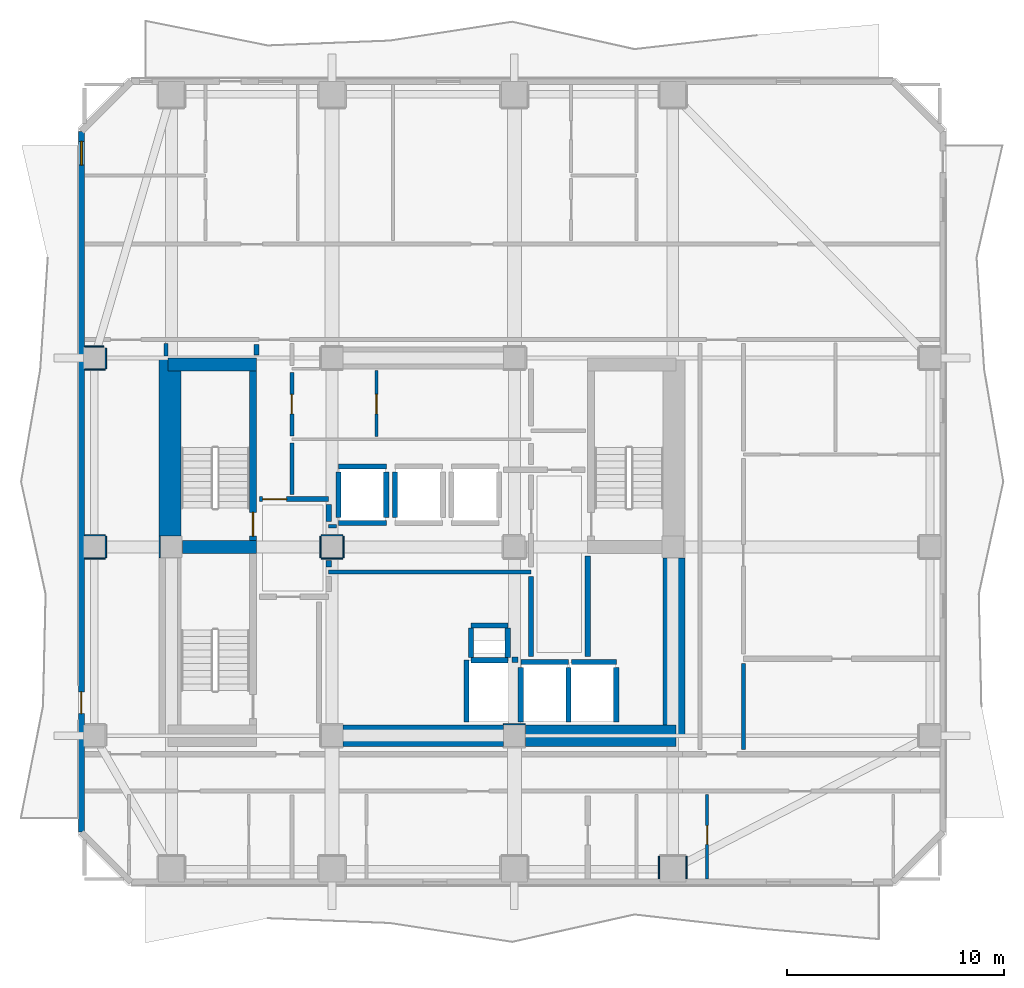
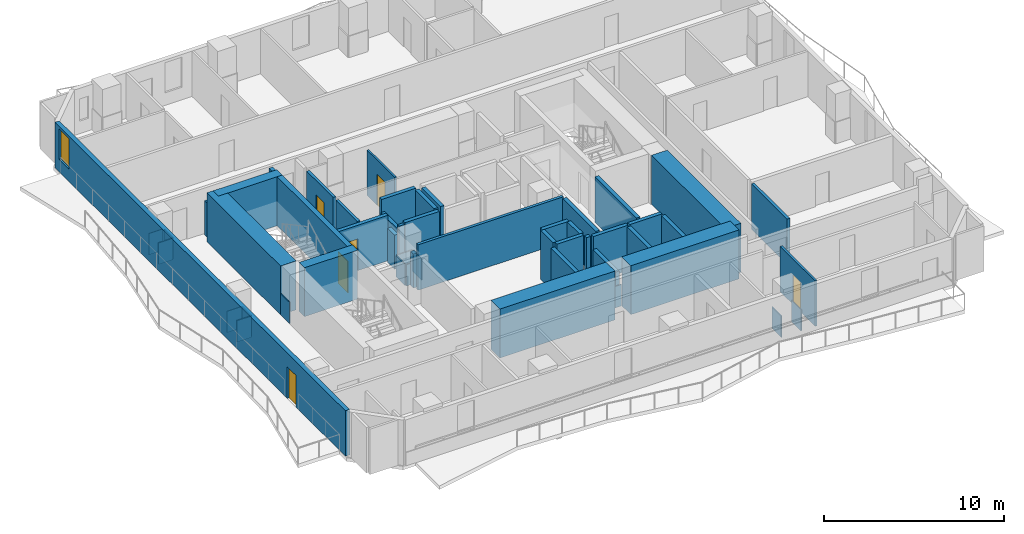
# One storey, part 3 of 9: 52 walls, 6 doors, 1 window, 7 openings.
"""IFC4 building model written with IfcOpenShell, lengths in metres."""

from ifc_helpers import new_model, si_unit, direction, frame, frame_2d, origin, place, context, subcontext, project, spatial, rectangle, extrude, material, layer, layer_set, type_object, element, fill, save


model = new_model("IFC4")

# Units and contexts
model_context = context("Model", 3, precision=1e-05, world=origin(), true_north=direction((0.0, 1.0)))
body_context = subcontext(model_context, "Body", "Model", "MODEL_VIEW")
ifc_project = project(units=[si_unit("LENGTHUNIT", "METRE"), si_unit("AREAUNIT", "SQUARE_METRE"), si_unit("VOLUMEUNIT", "CUBIC_METRE"), si_unit("PLANEANGLEUNIT", "RADIAN"), si_unit("MASSUNIT", "GRAM", prefix="KILO")], contexts=[model_context])

# Site, building, storey
site_placement = place(None, origin())
site = spatial("IfcSite", under=ifc_project, at=site_placement, CompositionType="ELEMENT")
building_placement = place(site_placement, origin())
building = spatial("IfcBuilding", under=site, at=building_placement, Name="Solanera Arch Residences", CompositionType="ELEMENT")
storey_placement = place(building_placement, frame((0.0, 0.0, 155.8798828125)))
storey = spatial("IfcBuildingStorey", under=building, at=storey_placement, Name="L45", CompositionType="ELEMENT", Elevation=155.8798828125)

# Walls
ifc_material_1 = material(Name="Fire-Rated Gypsum Stud Partition", Category="gypsum")
ifc_layer_1 = layer(ifc_material_1, 0.06005859375)
ifc_layer_set_1 = layer_set([ifc_layer_1], Name="Fire-Rated Gypsum Stud Partition")
wall_type_1 = type_object("IfcWallType", Name="Column Acoustic Furring Wall 60", PredefinedType="PARTITIONING", material=ifc_layer_set_1)
wall_1_placement = place(storey_placement, frame((28.699951171875, 22.531982421875, 0.0), z_axis=(0.0, 0.0, 1.0), x_axis=(1.0, 0.0, 0.0)))
element("IfcWall", 1, at=wall_1_placement, inside=storey, type_object=wall_type_1, Name="L45 Column Furring 2N", PredefinedType="PARTITIONING", context=body_context, shape_type="SweptSolid", body=[
    extrude(rectangle(XDim=1.0, YDim=0.06005859375, at=frame_2d((0.5, 0.0))), origin(), (0.0, 0.0, 1.0), 1.4501953125),
])
wall_2_placement = place(storey_placement, frame((12.867919921875, 30.2099609375, 0.0), z_axis=(0.0, 0.0, 1.0), x_axis=(0.0, 1.0, 0.0)))
element("IfcWall", 2, at=wall_2_placement, inside=storey, type_object=wall_type_1, Name="L45 Column Furring 5W", PredefinedType="PARTITIONING", context=body_context, shape_type="SweptSolid", body=[
    extrude(rectangle(XDim=0.97998046875, YDim=0.06005859375, at=frame_2d((0.489990234375, 0.0))), origin(), (0.0, 0.0, 1.0), 1.4501953125),
])
for number, where, z_axis, x_axis, name in (
    (3, (20.300048828125, 30.16796875, 0.0), (0.0, 0.0, 1.0), (1.0, 0.0, 0.0), "L45 Column Furring 7S"),
    (4, (20.300048828125, 31.23193359375, 0.0), (0.0, 0.0, 1.0), (1.0, 0.0, 0.0), "L45 Column Furring 7N"),
    (5, (20.26806640625, 30.199951171875, 0.0), (0.0, 0.0, 1.0), (0.0, 1.0, 0.0), "L45 Column Furring 7W"),
    (6, (21.33203125, 30.199951171875, 0.0), (0.0, 0.0, 1.0), (0.0, 1.0, 0.0), "L45 Column Furring 7E"),
):
    element("IfcWall", number, at=place(storey_placement, frame(where, z_axis=z_axis, x_axis=x_axis)), inside=storey, type_object=wall_type_1, Name=name, PredefinedType="PARTITIONING", context=body_context, shape_type="SweptSolid", body=[
        extrude(rectangle(XDim=1.0, YDim=0.06005859375, at=frame_2d((0.5, 0.0))), origin(), (0.0, 0.0, 1.0), 1.4501953125),
    ])
for number, where, z_axis, x_axis, name in (
    (7, (35.867919921875, 15.409912109375, 0.0), (0.0, 0.0, 1.0), (0.0, 1.0, 0.0), "L45 Column Furring 15W"),
    (8, (37.132080078125, 15.409912109375, 0.0), (0.0, 0.0, 1.0), (0.0, 1.0, 0.0), "L45 Column Furring 15E"),
):
    element("IfcWall", number, at=place(storey_placement, frame(where, z_axis=z_axis, x_axis=x_axis)), inside=storey, type_object=wall_type_1, Name=name, PredefinedType="PARTITIONING", context=body_context, shape_type="SweptSolid", body=[
        extrude(rectangle(XDim=1.0400390625, YDim=0.06005859375, at=frame_2d((0.52001953125, 0.0))), origin(), (0.0, 0.0, 1.0), 1.4501953125),
    ])
for number, where, z_axis, x_axis, name in (
    (9, (9.409912109375, 30.16796875, 0.0), (0.0, 0.0, 1.0), (1.0, 0.0, 0.0), "L45 Column Furring 19S"),
    (10, (9.409912109375, 31.23193359375, 0.0), (0.0, 0.0, 1.0), (1.0, 0.0, 0.0), "L45 Column Furring 19N"),
):
    element("IfcWall", number, at=place(storey_placement, frame(where, z_axis=z_axis, x_axis=x_axis)), inside=storey, type_object=wall_type_1, Name=name, PredefinedType="PARTITIONING", context=body_context, shape_type="SweptSolid", body=[
        extrude(rectangle(XDim=0.940185546875, YDim=0.06005859375, at=frame_2d((0.47021484375, 0.0))), origin(), (0.0, 0.0, 1.0), 1.4501953125),
    ])
wall_3_placement = place(storey_placement, frame((10.382080078125, 30.199951171875, 0.0), z_axis=(0.0, 0.0, 1.0), x_axis=(0.0, 1.0, 0.0)))
element("IfcWall", 11, at=wall_3_placement, inside=storey, type_object=wall_type_1, Name="L45 Column Furring 19E", PredefinedType="PARTITIONING", context=body_context, shape_type="SweptSolid", body=[
    extrude(rectangle(XDim=1.0, YDim=0.06005859375, at=frame_2d((0.5, 0.0))), origin(), (0.0, 0.0, 1.0), 1.4501953125),
])
wall_4_placement = place(storey_placement, frame((9.409912109375, 38.867919921875, 0.0), z_axis=(0.0, 0.0, 1.0), x_axis=(1.0, 0.0, 0.0)))
element("IfcWall", 12, at=wall_4_placement, inside=storey, type_object=wall_type_1, Name="L45 Column Furring 21S", PredefinedType="PARTITIONING", context=body_context, shape_type="SweptSolid", body=[
    extrude(rectangle(XDim=0.940185546875, YDim=0.06005859375, at=frame_2d((0.47021484375, 0.0))), origin(), (0.0, 0.0, 1.0), 1.4501953125),
])
wall_5_placement = place(storey_placement, frame((9.409912109375, 39.931884765625, 0.0), z_axis=(0.0, 0.0, 1.0), x_axis=(1.0, 0.0, 0.0)))
element("IfcWall", 13, at=wall_5_placement, inside=storey, type_object=wall_type_1, Name="L45 Column Furring 21N", PredefinedType="PARTITIONING", context=body_context, shape_type="SweptSolid", body=[
    extrude(rectangle(XDim=0.87109375, YDim=0.06005859375, at=frame_2d((0.435546875, 0.0))), origin(), (0.0, 0.0, 1.0), 1.4501953125),
])
wall_6_placement = place(storey_placement, frame((10.382080078125, 38.89990234375, 0.0), z_axis=(0.0, 0.0, 1.0), x_axis=(0.0, 1.0, 0.0)))
element("IfcWall", 14, at=wall_6_placement, inside=storey, type_object=wall_type_1, Name="L45 Column Furring 21E", PredefinedType="PARTITIONING", context=body_context, shape_type="SweptSolid", body=[
    extrude(rectangle(XDim=0.9560546875, YDim=0.06005859375, at=frame_2d((0.47802734375, 0.0))), origin(), (0.0, 0.0, 1.0), 1.4501953125),
])
ifc_material_2 = material(Name="Concrete C55/67 (f'c = 60 MPa)", Category="concrete")
ifc_layer_2 = layer(ifc_material_2, 1.0)
ifc_layer_set_2 = layer_set([ifc_layer_2], Name="Concrete C55/67 (f'c = 60 MPa)")
wall_type_2 = type_object("IfcWallType", Name="Core Shear Wall CW-1000", PredefinedType="SHEAR", material=ifc_layer_set_2)
wall_7_placement = place(storey_placement, frame((13.340087890625, 31.205078125, 0.0), z_axis=(0.0, 0.0, 1.0), x_axis=(0.0, 1.0, 0.0)))
element("IfcWall", 15, at=wall_7_placement, inside=storey, type_object=wall_type_2, Name="L45 West Core North Shear Wall", PredefinedType="SHEAR", context=body_context, shape_type="SweptSolid", body=[
    extrude(rectangle(XDim=8.19482421875, YDim=1.0, at=frame_2d((4.097412109375, 0.0))), origin(), (0.0, 0.0, 1.0), 3.320068359375),
])
wall_8_placement = place(storey_placement, frame((36.56005859375, 22.0, 0.0), z_axis=(0.0, 0.0, 1.0), x_axis=(0.0, 1.0, 0.0)))
element("IfcWall", 16, at=wall_8_placement, inside=storey, type_object=wall_type_2, Name="L45 East Core South Shear Wall", PredefinedType="SHEAR", context=body_context, shape_type="SweptSolid", body=[
    extrude(rectangle(XDim=8.195068359375, YDim=1.0, at=frame_2d((4.09765625, 0.0))), origin(), (0.0, 0.0, 1.0), 3.320068359375),
])
wall_9_placement = place(storey_placement, frame((29.705078125, 22.0, 0.0), z_axis=(0.0, 0.0, 1.0), x_axis=(1.0, 0.0, 0.0)))
element("IfcWall", 17, at=wall_9_placement, inside=storey, type_object=wall_type_2, Name="L45 South-East Core Shear Wall", PredefinedType="SHEAR", context=body_context, shape_type="SweptSolid", body=[
    extrude(rectangle(XDim=6.954833984375, YDim=1.0, at=frame_2d((3.4775390625, 0.0))), origin(), (0.0, 0.0, 1.0), 3.320068359375),
])
wall_10_placement = place(storey_placement, frame((21.304931640625, 22.0, 0.0), z_axis=(0.0, 0.0, 1.0), x_axis=(1.0, 0.0, 0.0)))
element("IfcWall", 18, at=wall_10_placement, inside=storey, type_object=wall_type_2, Name="L45 Central South Core Shear Wall", PredefinedType="SHEAR", context=body_context, shape_type="SweptSolid", body=[
    extrude(rectangle(XDim=7.39013671875, YDim=1.0, at=frame_2d((3.695068359375, 0.0))), origin(), (0.0, 0.0, 1.0), 3.320068359375),
])

# Wall, opening, door
ifc_material_3 = material(Name="Concrete C40/50 (f'c = 45 MPa)", Category="concrete")
ifc_layer_3 = layer(ifc_material_3, 0.320068359375)
ifc_layer_set_3 = layer_set([ifc_layer_3], Name="Concrete C40/50 (f'c = 45 MPa)")
wall_type_3 = type_object("IfcWallType", Name="Core Shear Wall CW-320", PredefinedType="SHEAR", material=ifc_layer_set_3)
wall_11_placement = place(storey_placement, frame((17.159912109375, 31.0, 0.0), z_axis=(0.0, 0.0, 1.0), x_axis=(0.0, 1.0, 0.0)))
wall_11 = element("IfcWall", 19, at=wall_11_placement, inside=storey, type_object=wall_type_3, Name="L45 Stair ST-T1 East Shear Wall", PredefinedType="SHEAR", context=body_context, shape_type="SweptSolid", body=[
    extrude(rectangle(XDim=7.800048828125, YDim=0.320068359375, at=frame_2d((3.89990234375, 0.0))), origin(), (0.0, 0.0, 1.0), 3.320068359375),
])
opening_1_placement = place(wall_11_placement, frame((0.18994140625, 0.0, 0.0)))
opening_1 = element("IfcOpeningElement", 20, at=opening_1_placement, cuts=wall_11, Name="Opening DF-01", PredefinedType="OPENING", context=body_context, shape_type="SweptSolid", body=[
    extrude(rectangle(XDim=1.10009765625, YDim=2.14990234375, at=frame_2d((0.550048828125, 1.074951171875))), frame((0.0, 0.169921875, 0.0), z_axis=(0.0, -1.0, 0.0), x_axis=(1.0, 0.0, 0.0)), (0.0, 0.0, 1.0), 0.3401),
])
ifc_material_4 = material(Name="Fire-Rated Architectural Hardwood", Category="wood")
door_type_1 = type_object("IfcDoorType", Name="Stair Exit Fire Door DF-01", OperationType="NOTDEFINED", PredefinedType="DOOR", material=ifc_material_4)
door_1_placement = place(opening_1_placement, origin())
door_1 = element("IfcDoor", 21, at=door_1_placement, inside=storey, type_object=door_type_1, Name="DR-L45-STAIR-ST-T1", OperationType="SINGLE_SWING_RIGHT", OverallHeight=2.14990234375, OverallWidth=1.10009765625, PredefinedType="DOOR", context=body_context, shape_type="SweptSolid", body=[
    extrude(rectangle(XDim=1.10009765625, YDim=2.14990234375, at=frame_2d((0.550048828125, 1.074951171875))), frame((0.0, 0.02490234375, 0.0), z_axis=(0.0, -1.0, 0.0), x_axis=(1.0, 0.0, 0.0)), (0.0, 0.0, 1.0), 0.050048828125),
])
fill(opening_1, door_1)

# Walls
ifc_material_5 = material(Name="Concrete C40/50 (f'c = 45 MPa)", Category="concrete")
ifc_layer_4 = layer(ifc_material_5, 0.60009765625)
ifc_layer_set_4 = layer_set([ifc_layer_4], Name="Concrete C40/50 (f'c = 45 MPa)")
wall_type_4 = type_object("IfcWallType", Name="Core Shear Wall CW-600", PredefinedType="SHEAR", material=ifc_layer_set_4)
wall_12_placement = place(storey_placement, frame((13.239990234375, 39.10009765625, 0.0), z_axis=(0.0, 0.0, 1.0), x_axis=(1.0, 0.0, 0.0)))
element("IfcWall", 22, at=wall_12_placement, inside=storey, type_object=wall_type_4, Name="L45 North-West Core Shear Wall", PredefinedType="SHEAR", context=body_context, shape_type="SweptSolid", body=[
    extrude(rectangle(XDim=4.080078125, YDim=0.60009765625, at=frame_2d((2.0400390625, 0.0))), origin(), (0.0, 0.0, 1.0), 3.320068359375),
])
wall_13_placement = place(storey_placement, frame((13.905029296875, 30.699951171875, 0.0), z_axis=(0.0, 0.0, 1.0), x_axis=(1.0, 0.0, 0.0)))
element("IfcWall", 23, at=wall_13_placement, inside=storey, type_object=wall_type_4, Name="L45 West Stair Divider Shear Wall", PredefinedType="SHEAR", context=body_context, shape_type="SweptSolid", body=[
    extrude(rectangle(XDim=3.4150390625, YDim=0.60009765625, at=frame_2d((1.70751953125, 0.0))), origin(), (0.0, 0.0, 1.0), 3.320068359375),
])
ifc_material_6 = material(Name="Autoclaved Aerated Concrete Blockwork", Category="masonry")
ifc_layer_5 = layer(ifc_material_6, 0.179931640625)
ifc_layer_set_5 = layer_set([ifc_layer_5], Name="Autoclaved Aerated Concrete Blockwork")
wall_type_5 = type_object("IfcWallType", Name="Corridor Fire Partition 180", PredefinedType="PARTITIONING", material=ifc_layer_set_5)
wall_14_placement = place(storey_placement, frame((20.64990234375, 29.550048828125, 0.0), z_axis=(0.0, 0.0, 1.0), x_axis=(1.0, 0.0, 0.0)))
element("IfcWall", 24, at=wall_14_placement, inside=storey, type_object=wall_type_5, Name="L45 Interior Partition H8", PredefinedType="PARTITIONING", context=body_context, shape_type="SweptSolid", body=[
    extrude(rectangle(XDim=9.3251953125, YDim=0.179931640625, at=frame_2d((4.66259765625, 0.0))), origin(), (0.0, 0.0, 1.0), 3.080078125),
])
wall_15_placement = place(storey_placement, frame((20.64990234375, 31.64990234375, 0.0), z_axis=(0.0, 0.0, 1.0), x_axis=(1.0, 0.0, 0.0)))
element("IfcWall", 25, at=wall_15_placement, inside=storey, type_object=wall_type_5, Name="L45 Interior Partition H9", PredefinedType="PARTITIONING", context=body_context, shape_type="SweptSolid", body=[
    extrude(rectangle(XDim=0.357177734375, YDim=0.179931640625, at=frame_2d((0.1787109375, 0.0))), origin(), (0.0, 0.0, 1.0), 3.080078125),
])
wall_16_placement = place(storey_placement, frame((13.14990234375, 39.5, 0.0), z_axis=(0.0, 0.0, 1.0), x_axis=(0.0, 1.0, 0.0)))
element("IfcWall", 26, at=wall_16_placement, inside=storey, type_object=wall_type_5, Name="L45 Interior Partition V8", PredefinedType="PARTITIONING", context=body_context, shape_type="SweptSolid", body=[
    extrude(rectangle(XDim=0.56201171875, YDim=0.179931640625, at=frame_2d((0.281005859375, 0.0))), origin(), (0.0, 0.0, 1.0), 2.315185546875),
])
wall_17_placement = place(storey_placement, frame((18.949951171875, 33.117919921875, 0.0), z_axis=(0.0, 0.0, 1.0), x_axis=(0.0, 1.0, 0.0)))
element("IfcWall", 27, at=wall_17_placement, inside=storey, type_object=wall_type_5, Name="L45 Interior Partition V10 1", PredefinedType="PARTITIONING", context=body_context, shape_type="SweptSolid", body=[
    extrude(rectangle(XDim=2.3740234375, YDim=0.179931640625, at=frame_2d((1.18701171875, 0.0))), origin(), (0.0, 0.0, 1.0), 3.080078125),
])

# Wall, opening, door
wall_18_placement = place(storey_placement, frame((18.949951171875, 35.80810546875, 0.0), z_axis=(0.0, 0.0, 1.0), x_axis=(0.0, 1.0, 0.0)))
wall_18 = element("IfcWall", 28, at=wall_18_placement, inside=storey, type_object=wall_type_5, Name="L45 Interior Partition V10 2", PredefinedType="PARTITIONING", context=body_context, shape_type="SweptSolid", body=[
    extrude(rectangle(XDim=2.933837890625, YDim=0.179931640625, at=frame_2d((1.466796875, 0.0))), origin(), (0.0, 0.0, 1.0), 3.080078125),
])
opening_2_placement = place(wall_18_placement, frame((1.01708984375, 0.0, 0.0)))
opening_2 = element("IfcOpeningElement", 29, at=opening_2_placement, cuts=wall_18, Name="Opening DI-02", PredefinedType="OPENING", context=body_context, shape_type="SweptSolid", body=[
    extrude(rectangle(XDim=0.89990234375, YDim=2.10009765625, at=frame_2d((0.449951171875, 1.050048828125))), frame((0.0, 0.10009765625, 0.0), z_axis=(0.0, -1.0, 0.0), x_axis=(1.0, 0.0, 0.0)), (0.0, 0.0, 1.0), 0.1999),
])
ifc_material_7 = material(Name="Fire-Rated Architectural Hardwood", Category="wood")
door_type_2 = type_object("IfcDoorType", Name="Suite Room Swing Door DI-02", OperationType="NOTDEFINED", PredefinedType="DOOR", material=ifc_material_7)
door_2_placement = place(opening_2_placement, origin())
door_2 = element("IfcDoor", 30, at=door_2_placement, inside=storey, type_object=door_type_2, Name="DR-L45-IN-014", OperationType="SINGLE_SWING_LEFT", OverallHeight=2.10009765625, OverallWidth=0.89990234375, PredefinedType="DOOR", context=body_context, shape_type="SweptSolid", body=[
    extrude(rectangle(XDim=0.89990234375, YDim=2.10009765625, at=frame_2d((0.449951171875, 1.050048828125))), frame((0.0, 0.02490234375, 0.0), z_axis=(0.0, -1.0, 0.0), x_axis=(1.0, 0.0, 0.0)), (0.0, 0.0, 1.0), 0.050048828125),
])
fill(opening_2, door_2)

# Wall
wall_19_placement = place(storey_placement, frame((39.75, 21.367919921875, 0.0), z_axis=(0.0, 0.0, 1.0), x_axis=(0.0, 1.0, 0.0)))
element("IfcWall", 31, at=wall_19_placement, inside=storey, type_object=wall_type_5, Name="L45 Interior Partition V13 1", PredefinedType="PARTITIONING", context=body_context, shape_type="SweptSolid", body=[
    extrude(rectangle(XDim=3.964111328125, YDim=0.179931640625, at=frame_2d((1.98193359375, 0.0))), origin(), (0.0, 0.0, 1.0), 3.080078125),
])

# Wall, openings, door, window
ifc_material_8 = material(Name="Precast Concrete C35/45", Category="concrete")
ifc_layer_6 = layer(ifc_material_8, 0.280029296875)
ifc_layer_set_6 = layer_set([ifc_layer_6], Name="Precast Concrete C35/45")
wall_type_6 = type_object("IfcWallType", Name="Exterior Wall Precast Masonry-Frame 280", PredefinedType="STANDARD", material=ifc_layer_set_6)
wall_20_placement = place(storey_placement, frame((9.2548828125, 17.554931640625, 0.0), z_axis=(0.0, 0.0, 1.0), x_axis=(0.0, 1.0, 0.0)))
wall_20 = element("IfcWall", 32, at=wall_20_placement, inside=storey, type_object=wall_type_6, Name="L45 Tower Exterior Precast Masonry-Frame Wall W", PredefinedType="STANDARD", context=body_context, shape_type="SweptSolid", body=[
    extrude(rectangle(XDim=32.2900390625, YDim=0.280029296875, at=frame_2d((16.14501953125, 0.0))), origin(), (0.0, 0.0, 1.0), 3.080078125),
])
opening_3_placement = place(wall_20_placement, frame((5.467041015625, 0.0, 0.0)))
opening_3 = element("IfcOpeningElement", 33, at=opening_3_placement, cuts=wall_20, Name="Opening DB-01", PredefinedType="OPENING", context=body_context, shape_type="SweptSolid", body=[
    extrude(rectangle(XDim=1.0, YDim=2.14990234375, at=frame_2d((0.5, 1.074951171875))), frame((0.0, 0.14990234375, 0.0), z_axis=(0.0, -1.0, 0.0), x_axis=(1.0, 0.0, 0.0)), (0.0, 0.0, 1.0), 0.3),
])
opening_4_placement = place(wall_20_placement, frame((30.72705078125, 0.0, 0.85009765625)))
opening_4 = element("IfcOpeningElement", 34, at=opening_4_placement, cuts=wall_20, Name="Opening W-11", PredefinedType="OPENING", context=body_context, shape_type="SweptSolid", body=[
    extrude(rectangle(XDim=1.10009765625, YDim=2.050048828125, at=frame_2d((0.550048828125, 1.02490234375))), frame((0.0, 0.14990234375, 0.0), z_axis=(0.0, -1.0, 0.0), x_axis=(1.0, 0.0, 0.0)), (0.0, 0.0, 1.0), 0.3),
])
ifc_material_9 = material(Name="Anodised Aluminium Alloy 6063-T6", Category="aluminium")
door_type_3 = type_object("IfcDoorType", Name="Glazed Balcony Swing Door DB-01", OperationType="NOTDEFINED", PredefinedType="DOOR", material=ifc_material_9)
door_3_placement = place(opening_3_placement, origin())
door_3 = element("IfcDoor", 35, at=door_3_placement, inside=storey, type_object=door_type_3, Name="DR-L45-OUT-04", OperationType="SINGLE_SWING_RIGHT", OverallHeight=2.14990234375, OverallWidth=1.0, PredefinedType="DOOR", context=body_context, shape_type="SweptSolid", body=[
    extrude(rectangle(XDim=1.0, YDim=2.14990234375, at=frame_2d((0.5, 1.074951171875))), frame((0.0, 0.02490234375, 0.0), z_axis=(0.0, -1.0, 0.0), x_axis=(1.0, 0.0, 0.0)), (0.0, 0.0, 1.0), 0.050048828125),
])
fill(opening_3, door_3)
ifc_material_10 = material(Name="Double Glazed Low-E Laminated Glass", Category="glass")
window_type = type_object("IfcWindowType", Name="Punched Window W-11", PartitioningType="SINGLE_PANEL", PredefinedType="WINDOW", material=ifc_material_10)
window_placement = place(opening_4_placement, origin())
window = element("IfcWindow", 36, at=window_placement, inside=storey, type_object=window_type, Name="L45 4504-BR1 Punched Window", OverallHeight=2.050048828125, OverallWidth=1.10009765625, PartitioningType="SINGLE_PANEL", PredefinedType="WINDOW", context=body_context, shape_type="SweptSolid", body=[
    extrude(rectangle(XDim=1.10009765625, YDim=2.050048828125, at=frame_2d((0.550048828125, 1.02490234375))), frame((0.0, 0.030029296875, 0.0), z_axis=(0.0, -1.0, 0.0), x_axis=(1.0, 0.0, 0.0)), (0.0, 0.0, 1.0), 0.06005859375),
])
fill(opening_4, window)

# Walls
ifc_material_11 = material(Name="Concrete C40/50 (f'c = 45 MPa)", Category="concrete")
ifc_layer_7 = layer(ifc_material_11, 0.239990234375)
ifc_layer_set_7 = layer_set([ifc_layer_7], Name="Concrete C40/50 (f'c = 45 MPa)")
wall_type_7 = type_object("IfcWallType", Name="Ramp Bearing Shear Wall RW-240", PredefinedType="SHEAR", material=ifc_layer_set_7)
for number, where, z_axis, x_axis, name in (
    (37, (27.199951171875, 25.47998046875, 0.0), (0.0, 0.0, 1.0), (1.0, 0.0, 0.0), "L45 Core MEP Riser South Shaft Wall"),
    (38, (27.199951171875, 27.080078125, 0.0), (0.0, 0.0, 1.0), (1.0, 0.0, 0.0), "L45 Core MEP Riser North Shaft Wall"),
):
    element("IfcWall", number, at=place(storey_placement, frame(where, z_axis=z_axis, x_axis=x_axis)), inside=storey, type_object=wall_type_7, Name=name, PredefinedType="SHEAR", context=body_context, shape_type="SweptSolid", body=[
        extrude(rectangle(XDim=1.699951171875, YDim=0.239990234375, at=frame_2d((0.85009765625, 0.0))), origin(), (0.0, 0.0, 1.0), 3.320068359375),
    ])
for number, where, z_axis, x_axis, name in (
    (39, (27.199951171875, 25.60009765625, 0.0), (0.0, 0.0, 1.0), (0.0, 1.0, 0.0), "L45 Core MEP Riser West Shaft Wall"),
    (40, (28.89990234375, 25.60009765625, 0.0), (0.0, 0.0, 1.0), (0.0, 1.0, 0.0), "L45 Core MEP Riser East Shaft Wall"),
):
    element("IfcWall", number, at=place(storey_placement, frame(where, z_axis=z_axis, x_axis=x_axis)), inside=storey, type_object=wall_type_7, Name=name, PredefinedType="SHEAR", context=body_context, shape_type="SweptSolid", body=[
        extrude(rectangle(XDim=1.35986328125, YDim=0.239990234375, at=frame_2d((0.679931640625, 0.0))), origin(), (0.0, 0.0, 1.0), 3.320068359375),
    ])
ifc_material_12 = material(Name="Autoclaved Aerated Concrete Blockwork", Category="masonry")
ifc_layer_8 = layer(ifc_material_12, 0.239990234375)
ifc_layer_set_8 = layer_set([ifc_layer_8], Name="Autoclaved Aerated Concrete Blockwork")
wall_type_8 = type_object("IfcWallType", Name="Shaft Wall Fire-Rated 240", PredefinedType="PARTITIONING", material=ifc_layer_set_8)
for number, where, z_axis, x_axis, name in (
    (41, (21.10009765625, 31.800048828125, 0.0), (0.0, 0.0, 1.0), (1.0, 0.0, 0.0), "L45 Lift PL-M1 Hoistway Wall S"),
    (42, (21.10009765625, 34.39990234375, 0.0), (0.0, 0.0, 1.0), (1.0, 0.0, 0.0), "L45 Lift PL-M1 Hoistway Wall N"),
):
    element("IfcWall", number, at=place(storey_placement, frame(where, z_axis=z_axis, x_axis=x_axis)), inside=storey, type_object=wall_type_8, Name=name, PredefinedType="PARTITIONING", context=body_context, shape_type="SweptSolid", body=[
        extrude(rectangle(XDim=2.199951171875, YDim=0.239990234375, at=frame_2d((1.10009765625, 0.0))), origin(), (0.0, 0.0, 1.0), 3.080078125),
    ])
wall_21_placement = place(storey_placement, frame((21.10009765625, 32.048095703125, 0.0), z_axis=(0.0, 0.0, 1.0), x_axis=(0.0, 1.0, 0.0)))
element("IfcWall", 43, at=wall_21_placement, inside=storey, type_object=wall_type_8, Name="L45 Lift PL-M1 Hoistway Wall W", PredefinedType="PARTITIONING", context=body_context, shape_type="SweptSolid", body=[
    extrude(rectangle(XDim=2.10400390625, YDim=0.239990234375, at=frame_2d((1.052001953125, 0.0))), origin(), (0.0, 0.0, 1.0), 2.315185546875),
])
for number, where, z_axis, x_axis, name in (
    (44, (23.300048828125, 32.048095703125, 0.0), (0.0, 0.0, 1.0), (0.0, 1.0, 0.0), "L45 Lift PL-M1 Hoistway Wall E"),
    (45, (23.699951171875, 32.048095703125, 0.0), (0.0, 0.0, 1.0), (0.0, 1.0, 0.0), "L45 Lift PL-M2 Hoistway Wall W"),
):
    element("IfcWall", number, at=place(storey_placement, frame(where, z_axis=z_axis, x_axis=x_axis)), inside=storey, type_object=wall_type_8, Name=name, PredefinedType="PARTITIONING", context=body_context, shape_type="SweptSolid", body=[
        extrude(rectangle(XDim=2.10400390625, YDim=0.239990234375, at=frame_2d((1.052001953125, 0.0))), origin(), (0.0, 0.0, 1.0), 3.080078125),
    ])
wall_22_placement = place(storey_placement, frame((29.5, 25.39990234375, 0.0), z_axis=(0.0, 0.0, 1.0), x_axis=(1.0, 0.0, 0.0)))
element("IfcWall", 46, at=wall_22_placement, inside=storey, type_object=wall_type_8, Name="L45 Lift FFL-1 Hoistway Wall N", PredefinedType="PARTITIONING", context=body_context, shape_type="SweptSolid", body=[
    extrude(rectangle(XDim=2.199951171875, YDim=0.239990234375, at=frame_2d((1.10009765625, 0.0))), origin(), (0.0, 0.0, 1.0), 3.080078125),
])
wall_23_placement = place(storey_placement, frame((29.5, 22.632080078125, 0.0), z_axis=(0.0, 0.0, 1.0), x_axis=(0.0, 1.0, 0.0)))
element("IfcWall", 47, at=wall_23_placement, inside=storey, type_object=wall_type_8, Name="L45 Lift FFL-1 Hoistway Wall W", PredefinedType="PARTITIONING", context=body_context, shape_type="SweptSolid", body=[
    extrude(rectangle(XDim=2.52001953125, YDim=0.239990234375, at=frame_2d((1.260009765625, 0.0))), origin(), (0.0, 0.0, 1.0), 2.315185546875),
])
wall_24_placement = place(storey_placement, frame((31.699951171875, 22.6298828125, 0.0), z_axis=(0.0, 0.0, 1.0), x_axis=(0.0, 1.0, 0.0)))
element("IfcWall", 48, at=wall_24_placement, inside=storey, type_object=wall_type_8, Name="L45 Lift FFL-1 Hoistway Wall E", PredefinedType="PARTITIONING", context=body_context, shape_type="SweptSolid", body=[
    extrude(rectangle(XDim=2.522216796875, YDim=0.239990234375, at=frame_2d((1.26123046875, 0.0))), origin(), (0.0, 0.0, 1.0), 3.080078125),
])
wall_25_placement = place(storey_placement, frame((31.827880859375, 25.39990234375, 0.0), z_axis=(0.0, 0.0, 1.0), x_axis=(1.0, 0.0, 0.0)))
element("IfcWall", 49, at=wall_25_placement, inside=storey, type_object=wall_type_8, Name="L45 Lift FFL-2 Hoistway Wall N", PredefinedType="PARTITIONING", context=body_context, shape_type="SweptSolid", body=[
    extrude(rectangle(XDim=2.072021484375, YDim=0.239990234375, at=frame_2d((1.0361328125, 0.0))), origin(), (0.0, 0.0, 1.0), 3.080078125),
])
wall_26_placement = place(storey_placement, frame((33.89990234375, 22.6298828125, 0.0), z_axis=(0.0, 0.0, 1.0), x_axis=(0.0, 1.0, 0.0)))
element("IfcWall", 50, at=wall_26_placement, inside=storey, type_object=wall_type_8, Name="L45 Lift FFL-2 Hoistway Wall E", PredefinedType="PARTITIONING", context=body_context, shape_type="SweptSolid", body=[
    extrude(rectangle(XDim=2.522216796875, YDim=0.239990234375, at=frame_2d((1.26123046875, 0.0))), origin(), (0.0, 0.0, 1.0), 3.080078125),
])
wall_27_placement = place(storey_placement, frame((29.10302734375, 25.5, 0.0), z_axis=(0.0, 0.0, 1.0), x_axis=(1.0, 0.0, 0.0)))
element("IfcWall", 51, at=wall_27_placement, inside=storey, type_object=wall_type_8, Name="L45 Lift SVL-1 Hoistway Wall N", PredefinedType="PARTITIONING", context=body_context, shape_type="SweptSolid", body=[
    extrude(rectangle(XDim=0.26904296875, YDim=0.239990234375, at=frame_2d((0.134521484375, 0.0))), origin(), (0.0, 0.0, 1.0), 3.080078125),
])
wall_28_placement = place(storey_placement, frame((27.0, 22.6298828125, 0.0), z_axis=(0.0, 0.0, 1.0), x_axis=(0.0, 1.0, 0.0)))
element("IfcWall", 52, at=wall_28_placement, inside=storey, type_object=wall_type_8, Name="L45 Lift SVL-1 Hoistway Wall W", PredefinedType="PARTITIONING", context=body_context, shape_type="SweptSolid", body=[
    extrude(rectangle(XDim=2.8681640625, YDim=0.239990234375, at=frame_2d((1.43408203125, 0.0))), origin(), (0.0, 0.0, 1.0), 3.080078125),
])

# Wall, opening, door
wall_29_placement = place(storey_placement, frame((17.449951171875, 32.89990234375, 0.0), z_axis=(0.0, 0.0, 1.0), x_axis=(1.0, 0.0, 0.0)))
wall_29 = element("IfcWall", 53, at=wall_29_placement, inside=storey, type_object=wall_type_8, Name="L45 Interior Partition H5", PredefinedType="PARTITIONING", context=body_context, shape_type="SweptSolid", body=[
    extrude(rectangle(XDim=3.199951171875, YDim=0.239990234375, at=frame_2d((1.60009765625, 0.0))), origin(), (0.0, 0.0, 1.0), 3.080078125),
])
opening_5_placement = place(wall_29_placement, frame((0.158935546875, 0.0, 0.0)))
opening_5 = element("IfcOpeningElement", 54, at=opening_5_placement, cuts=wall_29, Name="Opening DF-02", PredefinedType="OPENING", context=body_context, shape_type="SweptSolid", body=[
    extrude(rectangle(XDim=1.10009765625, YDim=2.14990234375, at=frame_2d((0.550048828125, 1.074951171875))), frame((0.0, 0.1298828125, 0.0), z_axis=(0.0, -1.0, 0.0), x_axis=(1.0, 0.0, 0.0)), (0.0, 0.0, 1.0), 0.26),
])
ifc_material_13 = material(Name="Fire-Rated Architectural Hardwood", Category="wood")
door_type_4 = type_object("IfcDoorType", Name="Firefighting Lobby Fire Door DF-02", OperationType="NOTDEFINED", PredefinedType="DOOR", material=ifc_material_13)
door_4_placement = place(opening_5_placement, origin())
door_4 = element("IfcDoor", 55, at=door_4_placement, inside=storey, type_object=door_type_4, Name="DR-L45-IN-005", OperationType="SINGLE_SWING_RIGHT", OverallHeight=2.14990234375, OverallWidth=1.10009765625, PredefinedType="DOOR", context=body_context, shape_type="SweptSolid", body=[
    extrude(rectangle(XDim=1.10009765625, YDim=2.14990234375, at=frame_2d((0.550048828125, 1.074951171875))), frame((0.0, 0.02490234375, 0.0), z_axis=(0.0, -1.0, 0.0), x_axis=(1.0, 0.0, 0.0)), (0.0, 0.0, 1.0), 0.050048828125),
])
fill(opening_5, door_4)

# Walls
wall_30_placement = place(storey_placement, frame((17.320068359375, 39.530029296875, 0.0), z_axis=(0.0, 0.0, 1.0), x_axis=(0.0, 1.0, 0.0)))
element("IfcWall", 56, at=wall_30_placement, inside=storey, type_object=wall_type_8, Name="L45 Interior Partition V1", PredefinedType="PARTITIONING", context=body_context, shape_type="SweptSolid", body=[
    extrude(rectangle(XDim=0.501953125, YDim=0.239990234375, at=frame_2d((0.2509765625, 0.0))), origin(), (0.0, 0.0, 1.0), 3.080078125),
])
wall_31_placement = place(storey_placement, frame((20.64990234375, 29.76806640625, 0.0), z_axis=(0.0, 0.0, 1.0), x_axis=(0.0, 1.0, 0.0)))
element("IfcWall", 57, at=wall_31_placement, inside=storey, type_object=wall_type_8, Name="L45 Interior Partition V3 2", PredefinedType="PARTITIONING", context=body_context, shape_type="SweptSolid", body=[
    extrude(rectangle(XDim=0.300048828125, YDim=0.239990234375, at=frame_2d((0.14990234375, 0.0))), origin(), (0.0, 0.0, 1.0), 2.315185546875),
])
wall_32_placement = place(storey_placement, frame((20.64990234375, 31.867919921875, 0.0), z_axis=(0.0, 0.0, 1.0), x_axis=(0.0, 1.0, 0.0)))
element("IfcWall", 58, at=wall_32_placement, inside=storey, type_object=wall_type_8, Name="L45 Interior Partition V3 3", PredefinedType="PARTITIONING", context=body_context, shape_type="SweptSolid", body=[
    extrude(rectangle(XDim=0.7841796875, YDim=0.239990234375, at=frame_2d((0.39208984375, 0.0))), origin(), (0.0, 0.0, 1.0), 2.315185546875),
])
wall_33_placement = place(storey_placement, frame((29.97509765625, 25.64794921875, 0.0), z_axis=(0.0, 0.0, 1.0), x_axis=(0.0, 1.0, 0.0)))
element("IfcWall", 59, at=wall_33_placement, inside=storey, type_object=wall_type_8, Name="L45 Interior Partition V4 1", PredefinedType="PARTITIONING", context=body_context, shape_type="SweptSolid", body=[
    extrude(rectangle(XDim=3.68408203125, YDim=0.239990234375, at=frame_2d((1.842041015625, 0.0))), origin(), (0.0, 0.0, 1.0), 3.080078125),
])
wall_34_placement = place(storey_placement, frame((32.580078125, 25.64794921875, 0.0), z_axis=(0.0, 0.0, 1.0), x_axis=(0.0, 1.0, 0.0)))
element("IfcWall", 60, at=wall_34_placement, inside=storey, type_object=wall_type_8, Name="L45 Interior Partition V6", PredefinedType="PARTITIONING", context=body_context, shape_type="SweptSolid", body=[
    extrude(rectangle(XDim=4.6220703125, YDim=0.239990234375, at=frame_2d((2.31103515625, 0.0))), origin(), (0.0, 0.0, 1.0), 3.080078125),
])

# Wall, opening, door
ifc_material_14 = material(Name="Fire-Rated Gypsum Stud Partition", Category="gypsum")
ifc_layer_9 = layer(ifc_material_14, 0.1201171875)
ifc_layer_set_9 = layer_set([ifc_layer_9], Name="Fire-Rated Gypsum Stud Partition")
wall_type_9 = type_object("IfcWallType", Name="Unit Drywall Partition 120", PredefinedType="PARTITIONING", material=ifc_layer_set_9)
wall_35_placement = place(storey_placement, frame((22.85009765625, 35.778076171875, 0.0), z_axis=(0.0, 0.0, 1.0), x_axis=(0.0, 1.0, 0.0)))
wall_35 = element("IfcWall", 61, at=wall_35_placement, inside=storey, type_object=wall_type_9, Name="L45 Interior Partition V25", PredefinedType="PARTITIONING", context=body_context, shape_type="SweptSolid", body=[
    extrude(rectangle(XDim=3.052001953125, YDim=0.1201171875, at=frame_2d((1.52587890625, 0.0))), origin(), (0.0, 0.0, 1.0), 3.080078125),
])
opening_6_placement = place(wall_35_placement, frame((1.047119140625, 0.0, 0.0)))
opening_6 = element("IfcOpeningElement", 62, at=opening_6_placement, cuts=wall_35, Name="Opening DI-02", PredefinedType="OPENING", context=body_context, shape_type="SweptSolid", body=[
    extrude(rectangle(XDim=0.89990234375, YDim=2.10009765625, at=frame_2d((0.449951171875, 1.050048828125))), frame((0.0, 0.070068359375, 0.0), z_axis=(0.0, -1.0, 0.0), x_axis=(1.0, 0.0, 0.0)), (0.0, 0.0, 1.0), 0.1401),
])
door_5_placement = place(opening_6_placement, origin())
door_5 = element("IfcDoor", 63, at=door_5_placement, inside=storey, type_object=door_type_2, Name="DR-L45-IN-015", OperationType="SINGLE_SWING_RIGHT", OverallHeight=2.10009765625, OverallWidth=0.89990234375, PredefinedType="DOOR", context=body_context, shape_type="SweptSolid", body=[
    extrude(rectangle(XDim=0.89990234375, YDim=2.10009765625, at=frame_2d((0.449951171875, 1.050048828125))), frame((0.0, 0.02490234375, 0.0), z_axis=(0.0, -1.0, 0.0), x_axis=(1.0, 0.0, 0.0)), (0.0, 0.0, 1.0), 0.050048828125),
])
fill(opening_6, door_5)

ifc_material_15 = material(Name="Autoclaved Aerated Concrete Blockwork", Category="masonry")
ifc_layer_10 = layer(ifc_material_15, 0.139892578125)
ifc_layer_set_10 = layer_set([ifc_layer_10], Name="Autoclaved Aerated Concrete Blockwork")
wall_type_10 = type_object("IfcWallType", Name="Wet-Room Partition 140", PredefinedType="PARTITIONING", material=ifc_layer_set_10)
wall_36_placement = place(storey_placement, frame((38.080078125, 15.406982421875, 0.0), z_axis=(0.0, 0.0, 1.0), x_axis=(0.0, 1.0, 0.0)))
wall_36 = element("IfcWall", 64, at=wall_36_placement, inside=storey, type_object=wall_type_10, Name="L45 Interior Partition V21", PredefinedType="PARTITIONING", context=body_context, shape_type="SweptSolid", body=[
    extrude(rectangle(XDim=3.875, YDim=0.139892578125, at=frame_2d((1.9375, 0.0))), origin(), (0.0, 0.0, 1.0), 3.080078125),
])
opening_7_placement = place(wall_36_placement, frame((1.587890625, 0.0, 0.0)))
opening_7 = element("IfcOpeningElement", 65, at=opening_7_placement, cuts=wall_36, Name="Opening DI-05", PredefinedType="OPENING", context=body_context, shape_type="SweptSolid", body=[
    extrude(rectangle(XDim=0.860107421875, YDim=2.02001953125, at=frame_2d((0.43017578125, 1.010009765625))), frame((0.0, 0.079833984375, 0.0), z_axis=(0.0, -1.0, 0.0), x_axis=(1.0, 0.0, 0.0)), (0.0, 0.0, 1.0), 0.1599),
])
ifc_material_16 = material(Name="Fire-Rated Architectural Hardwood", Category="wood")
door_type_5 = type_object("IfcDoorType", Name="Bathroom Swing Door DI-05", OperationType="NOTDEFINED", PredefinedType="DOOR", material=ifc_material_16)
door_6_placement = place(opening_7_placement, origin())
door_6 = element("IfcDoor", 66, at=door_6_placement, inside=storey, type_object=door_type_5, Name="DR-L45-IN-023", OperationType="SINGLE_SWING_RIGHT", OverallHeight=2.02001953125, OverallWidth=0.860107421875, PredefinedType="DOOR", context=body_context, shape_type="SweptSolid", body=[
    extrude(rectangle(XDim=0.860107421875, YDim=2.02001953125, at=frame_2d((0.43017578125, 1.010009765625))), frame((0.0, 0.02490234375, 0.0), z_axis=(0.0, -1.0, 0.0), x_axis=(1.0, 0.0, 0.0)), (0.0, 0.0, 1.0), 0.050048828125),
])
fill(opening_7, door_6)

save(model, "model.ifc")
